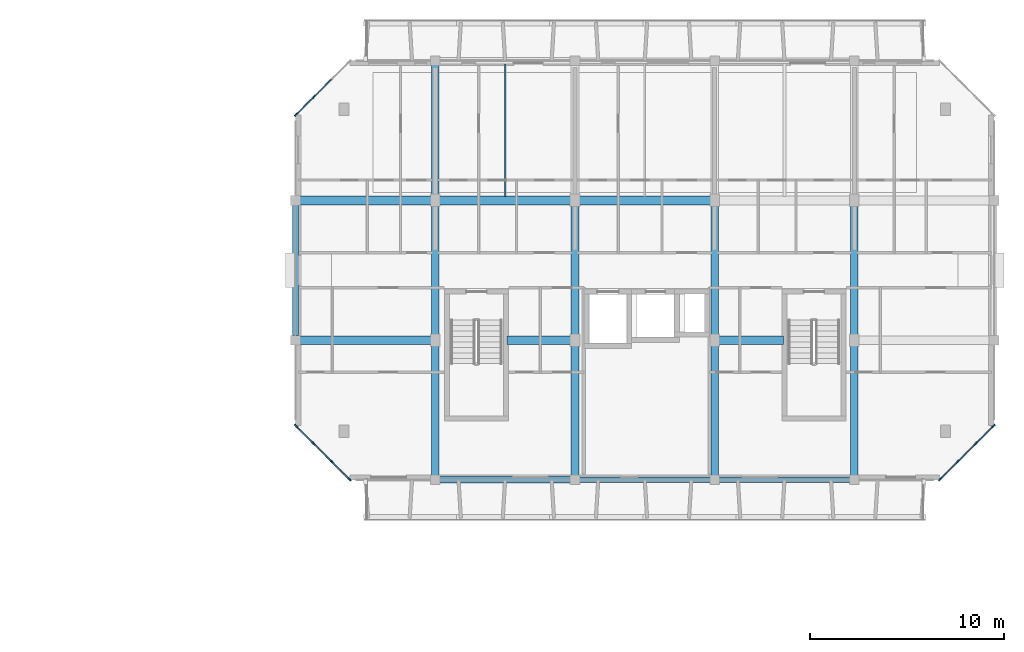
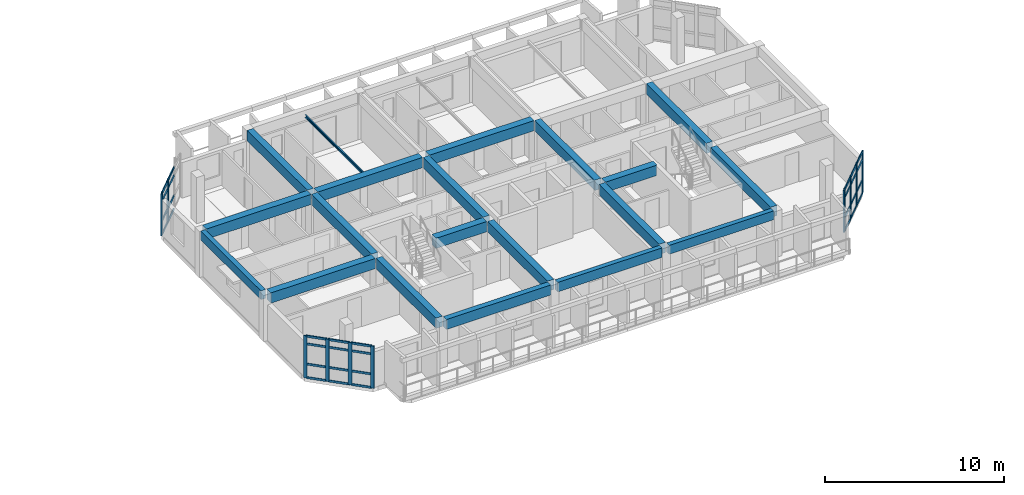
# One storey, part 9 of 46: 42 members, 20 beams, 3 elements without a shape of their own.
"""IFC4 building model written with IfcOpenShell, lengths in metres."""

from ifc_helpers import new_model, si_unit, direction, frame, origin, origin_2d, place, context, subcontext, project, spatial, rectangle, u_section, extrude, material, layer, layer_set, material_profile, profile_set, type_object, element, aggregate, save


model = new_model("IFC4")

# Units and contexts
model_context = context("Model", 3, precision=1e-05, world=origin(), true_north=direction((0.0, 1.0)))
body_context = subcontext(model_context, "Body", "Model", "MODEL_VIEW")
ifc_project = project(units=[si_unit("LENGTHUNIT", "METRE"), si_unit("AREAUNIT", "SQUARE_METRE"), si_unit("VOLUMEUNIT", "CUBIC_METRE"), si_unit("PLANEANGLEUNIT", "RADIAN"), si_unit("MASSUNIT", "GRAM", prefix="KILO")], contexts=[model_context])

# Site, building, storey
site_placement = place(None, origin())
site = spatial("IfcSite", under=ifc_project, at=site_placement, CompositionType="ELEMENT")
building_placement = place(site_placement, origin())
building = spatial("IfcBuilding", under=site, at=building_placement, Name="Ochrevale Crest", CompositionType="ELEMENT")
storey_placement = place(building_placement, frame((0.0, 0.0, 24.449951171875)))
storey = spatial("IfcBuildingStorey", under=building, at=storey_placement, Name="L07", CompositionType="ELEMENT", Elevation=24.449951171875)

# Beams
ifc_material_1 = material(Name="Precast concrete C50/60", Category="concrete")
ifc_material_profile_1 = material_profile(ifc_material_1, rectangle(XDim=0.39990234375, YDim=0.699951171875, at=origin_2d()), Name="PC 400x700")
ifc_profile_set_1 = profile_set([ifc_material_profile_1], Name="Precast concrete C50/60")
beam_type_1 = type_object("IfcBeamType", Name="BM-PC400x700", PredefinedType="BEAM", material=ifc_profile_set_1)
for number, where, z_axis, x_axis, name in (
    (1, (136.800048828125, 72.22998046875, 2.800048828125), (0.0, 1.0, 0.0), (-1.0, 0.0, 0.0), "Block D L07 N-S beam X=136.8"),
    (2, (136.800048828125, 79.429931640625, 2.800048828125), (0.0, 1.0, 0.0), (-1.0, 0.0, 0.0), "Block D L07 N-S beam X=136.8"),
):
    element("IfcBeam", number, at=place(storey_placement, frame(where, z_axis=z_axis, x_axis=x_axis)), inside=storey, type_object=beam_type_1, Name=name, PredefinedType="BEAM", context=body_context, shape_type="SweptSolid", body=[
        extrude(rectangle(XDim=0.39990234375, YDim=0.699951171875, at=origin_2d()), origin(), (0.0, 0.0, 1.0), 6.739990234375),
    ])
beam_1_placement = place(storey_placement, frame((136.800048828125, 86.6298828125, 2.800048828125), z_axis=(0.0, 1.0, 0.0), x_axis=(-1.0, 0.0, 0.0)))
element("IfcBeam", 3, at=beam_1_placement, inside=storey, type_object=beam_type_1, Name="Block D L07 N-S beam X=136.8", PredefinedType="BEAM", context=body_context, shape_type="SweptSolid", body=[
    extrude(rectangle(XDim=0.39990234375, YDim=0.699951171875, at=origin_2d()), origin(), (0.0, 0.0, 1.0), 6.740234375),
])
for number, where, z_axis, x_axis, name in (
    (4, (144.0, 72.22998046875, 2.800048828125), (0.0, 1.0, 0.0), (-1.0, 0.0, 0.0), "Block D L07 N-S beam X=144.0"),
    (5, (144.0, 79.429931640625, 2.800048828125), (0.0, 1.0, 0.0), (-1.0, 0.0, 0.0), "Block D L07 N-S beam X=144.0"),
    (6, (151.199951171875, 72.22998046875, 2.800048828125), (0.0, 1.0, 0.0), (-1.0, 0.0, 0.0), "Block D L07 N-S beam X=151.2"),
    (7, (151.199951171875, 79.429931640625, 2.800048828125), (0.0, 1.0, 0.0), (-1.0, 0.0, 0.0), "Block D L07 N-S beam X=151.2"),
    (8, (158.39990234375, 72.22998046875, 2.800048828125), (0.0, 1.0, 0.0), (-1.0, 0.0, 0.0), "Block D L07 N-S beam X=158.4"),
    (9, (158.39990234375, 79.429931640625, 2.800048828125), (0.0, 1.0, 0.0), (-1.0, 0.0, 0.0), "Block D L07 N-S beam X=158.4"),
):
    element("IfcBeam", number, at=place(storey_placement, frame(where, z_axis=z_axis, x_axis=x_axis)), inside=storey, type_object=beam_type_1, Name=name, PredefinedType="BEAM", context=body_context, shape_type="SweptSolid", body=[
        extrude(rectangle(XDim=0.39990234375, YDim=0.699951171875, at=origin_2d()), origin(), (0.0, 0.0, 1.0), 6.739990234375),
    ])
ifc_material_2 = material(Name="Steel S355", Category="steel")
ifc_material_profile_2 = material_profile(ifc_material_2, u_section(Depth=0.199951171875, FlangeWidth=0.074951171875, WebThickness=0.006103515625, FlangeThickness=0.011962890625, FilletRadius=0.011962890625, at=origin_2d()), Name="200PFC")
ifc_profile_set_2 = profile_set([ifc_material_profile_2], Name="Steel S355")
beam_type_2 = type_object("IfcBeamType", Name="BM-PFC200", PredefinedType="JOIST", material=ifc_profile_set_2)
beam_2_placement = place(storey_placement, frame((140.39990234375, 86.613037109375, 2.775146484375), z_axis=(0.0, 1.0, 0.0), x_axis=(-1.0, 0.0, 0.0)))
element("IfcBeam", 10, at=beam_2_placement, inside=storey, type_object=beam_type_2, Name="Block D L07 composite plank trimmer beam 2", PredefinedType="JOIST", context=body_context, shape_type="SweptSolid", body=[
    extrude(u_section(Depth=0.199951171875, FlangeWidth=0.074951171875, WebThickness=0.006103515625, FlangeThickness=0.011962890625, FilletRadius=0.011962890625, at=origin_2d()), origin(), (0.0, 0.0, 1.0), 6.823974609375),
])
ifc_material_3 = material(Name="Concrete C50/60", Category="concrete")
ifc_material_profile_3 = material_profile(ifc_material_3, rectangle(XDim=0.449951171875, YDim=0.699951171875, at=origin_2d()), Name="RC 450x700")
ifc_profile_set_3 = profile_set([ifc_material_profile_3], Name="Concrete C50/60")
beam_type_3 = type_object("IfcBeamType", Name="BM-PG450x700", PredefinedType="USERDEFINED", material=ifc_profile_set_3)
beam_3_placement = place(storey_placement, frame((129.824951171875, 79.199951171875, 2.800048828125), z_axis=(1.0, 0.0, 0.0), x_axis=(0.0, 1.0, 0.0)))
element("IfcBeam", 11, at=beam_3_placement, inside=storey, type_object=beam_type_3, Name="Block D L07 E-W beam Y=79.2", ObjectType="GIRDER", PredefinedType="USERDEFINED", context=body_context, shape_type="SweptSolid", body=[
    extrude(rectangle(XDim=0.449951171875, YDim=0.699951171875, at=origin_2d()), origin(), (0.0, 0.0, 1.0), 6.75),
])
beam_4_placement = place(storey_placement, frame((140.489990234375, 79.199951171875, 2.800048828125), z_axis=(1.0, 0.0, 0.0), x_axis=(0.0, 1.0, 0.0)))
element("IfcBeam", 12, at=beam_4_placement, inside=storey, type_object=beam_type_3, Name="Block D L07 E-W beam Y=79.2", ObjectType="GIRDER", PredefinedType="USERDEFINED", context=body_context, shape_type="SweptSolid", body=[
    extrude(rectangle(XDim=0.449951171875, YDim=0.699951171875, at=origin_2d()), origin(), (0.0, 0.0, 1.0), 3.284912109375),
])
beam_5_placement = place(storey_placement, frame((151.425048828125, 79.199951171875, 2.800048828125), z_axis=(1.0, 0.0, 0.0), x_axis=(0.0, 1.0, 0.0)))
element("IfcBeam", 13, at=beam_5_placement, inside=storey, type_object=beam_type_3, Name="Block D L07 E-W beam Y=79.2", ObjectType="GIRDER", PredefinedType="USERDEFINED", context=body_context, shape_type="SweptSolid", body=[
    extrude(rectangle(XDim=0.449951171875, YDim=0.699951171875, at=origin_2d()), origin(), (0.0, 0.0, 1.0), 3.3349609375),
])
for number, where, z_axis, x_axis, name in (
    (14, (129.824951171875, 86.39990234375, 2.800048828125), (1.0, 0.0, 0.0), (0.0, 1.0, 0.0), "Block D L07 E-W beam Y=86.4"),
    (15, (137.02490234375, 86.39990234375, 2.800048828125), (1.0, 0.0, 0.0), (0.0, 1.0, 0.0), "Block D L07 E-W beam Y=86.4"),
    (16, (144.22509765625, 86.39990234375, 2.800048828125), (1.0, 0.0, 0.0), (0.0, 1.0, 0.0), "Block D L07 E-W beam Y=86.4"),
):
    element("IfcBeam", number, at=place(storey_placement, frame(where, z_axis=z_axis, x_axis=x_axis)), inside=storey, type_object=beam_type_3, Name=name, ObjectType="GIRDER", PredefinedType="USERDEFINED", context=body_context, shape_type="SweptSolid", body=[
        extrude(rectangle(XDim=0.449951171875, YDim=0.699951171875, at=origin_2d()), origin(), (0.0, 0.0, 1.0), 6.75),
    ])
ifc_material_4 = material(Name="Precast concrete C40/50", Category="concrete")
ifc_material_profile_4 = material_profile(ifc_material_4, rectangle(XDim=0.300048828125, YDim=0.60009765625, at=origin_2d()), Name="PC 300x600")
ifc_profile_set_4 = profile_set([ifc_material_profile_4], Name="Precast concrete C40/50")
beam_type_4 = type_object("IfcBeamType", Name="BM-SP300x600", PredefinedType="SPANDREL", material=ifc_profile_set_4)
beam_6_placement = place(storey_placement, frame((151.425048828125, 72.0, 2.85009765625), z_axis=(1.0, 0.0, 0.0), x_axis=(0.0, 1.0, 0.0)))
element("IfcBeam", 17, at=beam_6_placement, inside=storey, type_object=beam_type_4, Name="Block D L07 E-W beam Y=72.0", PredefinedType="SPANDREL", context=body_context, shape_type="SweptSolid", body=[
    extrude(rectangle(XDim=0.300048828125, YDim=0.60009765625, at=origin_2d()), origin(), (0.0, 0.0, 1.0), 6.75),
])
beam_7_placement = place(storey_placement, frame((129.60009765625, 79.429931640625, 2.85009765625), z_axis=(0.0, 1.0, 0.0), x_axis=(-1.0, 0.0, 0.0)))
element("IfcBeam", 18, at=beam_7_placement, inside=storey, type_object=beam_type_4, Name="Block D L07 N-S beam X=129.6", PredefinedType="SPANDREL", context=body_context, shape_type="SweptSolid", body=[
    extrude(rectangle(XDim=0.300048828125, YDim=0.60009765625, at=origin_2d()), origin(), (0.0, 0.0, 1.0), 6.739990234375),
])
ifc_material_profile_5 = material_profile(ifc_material_4, rectangle(XDim=0.300048828125, YDim=0.64990234375, at=origin_2d()), Name="PC 300x650")
ifc_profile_set_5 = profile_set([ifc_material_profile_5], Name="Precast concrete C40/50")
beam_type_5 = type_object("IfcBeamType", Name="BM-SP300x650", PredefinedType="SPANDREL", material=ifc_profile_set_5)
beam_8_placement = place(storey_placement, frame((144.22509765625, 72.0, 2.824951171875), z_axis=(1.0, 0.0, 0.0), x_axis=(0.0, 1.0, 0.0)))
element("IfcBeam", 19, at=beam_8_placement, inside=storey, type_object=beam_type_5, Name="Block D L07 E-W beam Y=72.0", PredefinedType="SPANDREL", context=body_context, shape_type="SweptSolid", body=[
    extrude(rectangle(XDim=0.300048828125, YDim=0.64990234375, at=origin_2d()), origin(), (0.0, 0.0, 1.0), 6.75),
])
ifc_material_profile_6 = material_profile(ifc_material_4, rectangle(XDim=0.35009765625, YDim=0.679931640625, at=origin_2d()), Name="PC 350x680")
ifc_profile_set_6 = profile_set([ifc_material_profile_6], Name="Precast concrete C40/50")
beam_type_6 = type_object("IfcBeamType", Name="BM-SP350x680", PredefinedType="SPANDREL", material=ifc_profile_set_6)
beam_9_placement = place(storey_placement, frame((137.02490234375, 72.0, 2.81005859375), z_axis=(1.0, 0.0, 0.0), x_axis=(0.0, 1.0, 0.0)))
element("IfcBeam", 20, at=beam_9_placement, inside=storey, type_object=beam_type_6, Name="Block D L07 E-W beam Y=72.0", PredefinedType="SPANDREL", context=body_context, shape_type="SweptSolid", body=[
    extrude(rectangle(XDim=0.35009765625, YDim=0.679931640625, at=origin_2d()), origin(), (0.0, 0.0, 1.0), 6.75),
])

# Curtain wall, members
ifc_material_5 = material(Name="Anodised aluminium 6063-T5", Category="aluminium")
ifc_layer_1 = layer(ifc_material_5, 0.14990234375)
ifc_layer_set_1 = layer_set([ifc_layer_1], Name="Anodised aluminium 6063-T5")
curtain_wall_type_1 = type_object("IfcCurtainWallType", Name="CW-WG-420x285", PredefinedType="NOTDEFINED", material=ifc_layer_set_1)
curtain_wall_1_placement = place(storey_placement, origin())
curtain_wall_1 = element("IfcCurtainWall", 21, at=curtain_wall_1_placement, inside=storey, type_object=curtain_wall_type_1, Name="Block D L07 chamfered corner wintergarden curtain wall 2", PredefinedType="NOTDEFINED")
ifc_material_profile_7 = material_profile(ifc_material_5, rectangle(XDim=0.074951171875, YDim=0.219970703125, at=origin_2d()), Name="ALU 75x220")
ifc_profile_set_7 = profile_set([ifc_material_profile_7], Name="Anodised aluminium 6063-T5")
member_type_1 = type_object("IfcMemberType", Name="CW-MUL-75x220", PredefinedType="MULLION", material=ifc_profile_set_7)
member_1_placement = place(storey_placement, frame((162.826416015625, 72.026611328125, 0.0), z_axis=(0.0, 0.0, 1.0), x_axis=(-0.707106781187, 0.707106781187, 0.0)))
member_1 = element("IfcMember", 22, at=member_1_placement, type_object=member_type_1, Name="CW22 mullion 1", PredefinedType="MULLION", context=body_context, shape_type="SweptSolid", body=[
    extrude(rectangle(XDim=0.074951171875, YDim=0.219970703125, at=origin_2d()), origin(), (0.0, 0.0, 1.0), 2.875),
])
member_2_placement = place(storey_placement, frame((163.7333984375, 72.933349609375, 0.0), z_axis=(0.0, 0.0, 1.0), x_axis=(-0.707106781187, 0.707106781187, 0.0)))
member_2 = element("IfcMember", 23, at=member_2_placement, type_object=member_type_1, Name="CW22 mullion 2", PredefinedType="MULLION", context=body_context, shape_type="SweptSolid", body=[
    extrude(rectangle(XDim=0.074951171875, YDim=0.219970703125, at=origin_2d()), origin(), (0.0, 0.0, 1.0), 2.875),
])
member_3_placement = place(storey_placement, frame((164.666748046875, 73.86669921875, 0.0), z_axis=(0.0, 0.0, 1.0), x_axis=(-0.707106781187, 0.707106781187, 0.0)))
member_3 = element("IfcMember", 24, at=member_3_placement, type_object=member_type_1, Name="CW22 mullion 3", PredefinedType="MULLION", context=body_context, shape_type="SweptSolid", body=[
    extrude(rectangle(XDim=0.074951171875, YDim=0.219970703125, at=origin_2d()), origin(), (0.0, 0.0, 1.0), 2.875),
])
member_4_placement = place(storey_placement, frame((165.573486328125, 74.7734375, 0.0), z_axis=(0.0, 0.0, 1.0), x_axis=(-0.707106781187, 0.707106781187, 0.0)))
member_4 = element("IfcMember", 25, at=member_4_placement, type_object=member_type_1, Name="CW22 mullion 4", PredefinedType="MULLION", context=body_context, shape_type="SweptSolid", body=[
    extrude(rectangle(XDim=0.074951171875, YDim=0.219970703125, at=origin_2d()), origin(), (0.0, 0.0, 1.0), 2.875),
])

ifc_layer_2 = layer(ifc_material_5, 0.14990234375)
ifc_layer_set_2 = layer_set([ifc_layer_2], Name="Anodised aluminium 6063-T5")
curtain_wall_type_2 = type_object("IfcCurtainWallType", Name="CW-WG-360x285", PredefinedType="NOTDEFINED", material=ifc_layer_set_2)
curtain_wall_2_placement = place(storey_placement, origin())
curtain_wall_2 = element("IfcCurtainWall", 26, at=curtain_wall_2_placement, inside=storey, type_object=curtain_wall_type_2, Name="Block D L07 chamfered corner wintergarden curtain wall 6", PredefinedType="NOTDEFINED")
member_5_placement = place(storey_placement, frame((130.533447265625, 91.7333984375, 0.0), z_axis=(0.0, 0.0, 1.0), x_axis=(0.707106781187, -0.707106781187, 0.0)))
member_5 = element("IfcMember", 27, at=member_5_placement, type_object=member_type_1, Name="CW18 mullion 3", PredefinedType="MULLION", context=body_context, shape_type="SweptSolid", body=[
    extrude(rectangle(XDim=0.074951171875, YDim=0.219970703125, at=origin_2d()), origin(), (0.0, 0.0, 1.0), 2.875),
])
member_6_placement = place(storey_placement, frame((129.62646484375, 90.826416015625, 0.0), z_axis=(0.0, 0.0, 1.0), x_axis=(0.707106781187, -0.707106781187, 0.0)))
member_6 = element("IfcMember", 28, at=member_6_placement, type_object=member_type_1, Name="CW18 mullion 4", PredefinedType="MULLION", context=body_context, shape_type="SweptSolid", body=[
    extrude(rectangle(XDim=0.074951171875, YDim=0.219970703125, at=origin_2d()), origin(), (0.0, 0.0, 1.0), 2.875),
])

ifc_layer_3 = layer(ifc_material_5, 0.14990234375)
ifc_layer_set_3 = layer_set([ifc_layer_3], Name="Anodised aluminium 6063-T5")
curtain_wall_type_3 = type_object("IfcCurtainWallType", Name="CW-WG-240x285", PredefinedType="NOTDEFINED", material=ifc_layer_set_3)
curtain_wall_3_placement = place(storey_placement, origin())
curtain_wall_3 = element("IfcCurtainWall", 29, at=curtain_wall_3_placement, inside=storey, type_object=curtain_wall_type_3, Name="Block D L07 chamfered corner wintergarden curtain wall 8", PredefinedType="NOTDEFINED")
member_7_placement = place(storey_placement, frame((129.62646484375, 74.7734375, 0.0), z_axis=(0.0, 0.0, 1.0), x_axis=(0.707106781187, 0.707106781187, 0.0)))
member_7 = element("IfcMember", 30, at=member_7_placement, type_object=member_type_1, Name="CW15 mullion 1", PredefinedType="MULLION", context=body_context, shape_type="SweptSolid", body=[
    extrude(rectangle(XDim=0.074951171875, YDim=0.219970703125, at=origin_2d()), origin(), (0.0, 0.0, 1.0), 2.875),
])
member_8_placement = place(storey_placement, frame((130.533447265625, 73.86669921875, 0.0), z_axis=(0.0, 0.0, 1.0), x_axis=(0.707106781187, 0.707106781187, 0.0)))
member_8 = element("IfcMember", 31, at=member_8_placement, type_object=member_type_1, Name="CW15 mullion 2", PredefinedType="MULLION", context=body_context, shape_type="SweptSolid", body=[
    extrude(rectangle(XDim=0.074951171875, YDim=0.219970703125, at=origin_2d()), origin(), (0.0, 0.0, 1.0), 2.875),
])
member_9_placement = place(storey_placement, frame((131.466552734375, 72.933349609375, 0.0), z_axis=(0.0, 0.0, 1.0), x_axis=(0.707106781187, 0.707106781187, 0.0)))
member_9 = element("IfcMember", 32, at=member_9_placement, type_object=member_type_1, Name="CW15 mullion 3", PredefinedType="MULLION", context=body_context, shape_type="SweptSolid", body=[
    extrude(rectangle(XDim=0.074951171875, YDim=0.219970703125, at=origin_2d()), origin(), (0.0, 0.0, 1.0), 2.875),
])
member_10_placement = place(storey_placement, frame((132.37353515625, 72.026611328125, 0.0), z_axis=(0.0, 0.0, 1.0), x_axis=(0.707106781187, 0.707106781187, 0.0)))
member_10 = element("IfcMember", 33, at=member_10_placement, type_object=member_type_1, Name="CW15 mullion 4", PredefinedType="MULLION", context=body_context, shape_type="SweptSolid", body=[
    extrude(rectangle(XDim=0.074951171875, YDim=0.219970703125, at=origin_2d()), origin(), (0.0, 0.0, 1.0), 2.875),
])

# Member
ifc_material_profile_8 = material_profile(ifc_material_5, rectangle(XDim=0.06005859375, YDim=0.14990234375, at=origin_2d()), Name="ALU 60x150")
ifc_profile_set_8 = profile_set([ifc_material_profile_8], Name="Anodised aluminium 6063-T5")
member_type_2 = type_object("IfcMemberType", Name="CW-TRN-60x150", PredefinedType="USERDEFINED", material=ifc_profile_set_8)
member_11_placement = place(storey_placement, frame((162.85302734375, 72.052978515625, 0.030029296875), z_axis=(0.707106781187, 0.707106781187, 0.0), x_axis=(-0.707106781187, 0.707106781187, 0.0)))
member_11 = element("IfcMember", 34, at=member_11_placement, type_object=member_type_2, Name="CW22 transom 1.1", ObjectType="TRANSOM", PredefinedType="USERDEFINED", context=body_context, shape_type="SweptSolid", body=[
    extrude(rectangle(XDim=0.06005859375, YDim=0.14990234375, at=origin_2d()), origin(), (0.0, 0.0, 1.0), 1.20751953125),
])

member_12_placement = place(storey_placement, frame((162.85302734375, 72.052978515625, 0.949951171875), z_axis=(0.707106781187, 0.707106781187, 0.0), x_axis=(-0.707106781187, 0.707106781187, 0.0)))
member_12 = element("IfcMember", 35, at=member_12_placement, type_object=member_type_2, Name="CW22 transom 1.2", ObjectType="TRANSOM", PredefinedType="USERDEFINED", context=body_context, shape_type="SweptSolid", body=[
    extrude(rectangle(XDim=0.06005859375, YDim=0.14990234375, at=origin_2d()), origin(), (0.0, 0.0, 1.0), 1.20751953125),
])

member_13_placement = place(storey_placement, frame((162.85302734375, 72.052978515625, 2.324951171875), z_axis=(0.707106781187, 0.707106781187, 0.0), x_axis=(-0.707106781187, 0.707106781187, 0.0)))
member_13 = element("IfcMember", 36, at=member_13_placement, type_object=member_type_2, Name="CW22 transom 1.3", ObjectType="TRANSOM", PredefinedType="USERDEFINED", context=body_context, shape_type="SweptSolid", body=[
    extrude(rectangle(XDim=0.06005859375, YDim=0.14990234375, at=origin_2d()), origin(), (0.0, 0.0, 1.0), 1.20751953125),
])

member_14_placement = place(storey_placement, frame((162.85302734375, 72.052978515625, 2.844970703125), z_axis=(0.707106781187, 0.707106781187, 0.0), x_axis=(-0.707106781187, 0.707106781187, 0.0)))
member_14 = element("IfcMember", 37, at=member_14_placement, type_object=member_type_2, Name="CW22 transom 1.4", ObjectType="TRANSOM", PredefinedType="USERDEFINED", context=body_context, shape_type="SweptSolid", body=[
    extrude(rectangle(XDim=0.06005859375, YDim=0.14990234375, at=origin_2d()), origin(), (0.0, 0.0, 1.0), 1.20751953125),
])

member_15_placement = place(storey_placement, frame((163.759765625, 72.9599609375, 0.030029296875), z_axis=(0.707204833848, 0.707008714926, 0.0), x_axis=(-0.707008714926, 0.707204833848, 0.0)))
member_15 = element("IfcMember", 38, at=member_15_placement, type_object=member_type_2, Name="CW22 transom 2.1", ObjectType="TRANSOM", PredefinedType="USERDEFINED", context=body_context, shape_type="SweptSolid", body=[
    extrude(rectangle(XDim=0.06005859375, YDim=0.14990234375, at=origin_2d()), origin(), (0.0, 0.0, 1.0), 1.244873046875),
])

member_16_placement = place(storey_placement, frame((163.759765625, 72.9599609375, 0.949951171875), z_axis=(0.707204833848, 0.707008714926, 0.0), x_axis=(-0.707008714926, 0.707204833848, 0.0)))
member_16 = element("IfcMember", 39, at=member_16_placement, type_object=member_type_2, Name="CW22 transom 2.2", ObjectType="TRANSOM", PredefinedType="USERDEFINED", context=body_context, shape_type="SweptSolid", body=[
    extrude(rectangle(XDim=0.06005859375, YDim=0.14990234375, at=origin_2d()), origin(), (0.0, 0.0, 1.0), 1.244873046875),
])

member_17_placement = place(storey_placement, frame((163.759765625, 72.9599609375, 2.324951171875), z_axis=(0.707204833848, 0.707008714926, 0.0), x_axis=(-0.707008714926, 0.707204833848, 0.0)))
member_17 = element("IfcMember", 40, at=member_17_placement, type_object=member_type_2, Name="CW22 transom 2.3", ObjectType="TRANSOM", PredefinedType="USERDEFINED", context=body_context, shape_type="SweptSolid", body=[
    extrude(rectangle(XDim=0.06005859375, YDim=0.14990234375, at=origin_2d()), origin(), (0.0, 0.0, 1.0), 1.244873046875),
])

member_18_placement = place(storey_placement, frame((163.759765625, 72.9599609375, 2.844970703125), z_axis=(0.707204833848, 0.707008714926, 0.0), x_axis=(-0.707008714926, 0.707204833848, 0.0)))
member_18 = element("IfcMember", 41, at=member_18_placement, type_object=member_type_2, Name="CW22 transom 2.4", ObjectType="TRANSOM", PredefinedType="USERDEFINED", context=body_context, shape_type="SweptSolid", body=[
    extrude(rectangle(XDim=0.06005859375, YDim=0.14990234375, at=origin_2d()), origin(), (0.0, 0.0, 1.0), 1.244873046875),
])

member_19_placement = place(storey_placement, frame((164.693115234375, 73.89306640625, 0.030029296875), z_axis=(0.707005686502, 0.70720786142, 0.0), x_axis=(-0.70720786142, 0.707005686502, 0.0)))
member_19 = element("IfcMember", 42, at=member_19_placement, type_object=member_type_2, Name="CW22 transom 3.1", ObjectType="TRANSOM", PredefinedType="USERDEFINED", context=body_context, shape_type="SweptSolid", body=[
    extrude(rectangle(XDim=0.06005859375, YDim=0.14990234375, at=origin_2d()), origin(), (0.0, 0.0, 1.0), 1.20751953125),
])

member_20_placement = place(storey_placement, frame((164.693115234375, 73.89306640625, 0.949951171875), z_axis=(0.707005686502, 0.70720786142, 0.0), x_axis=(-0.70720786142, 0.707005686502, 0.0)))
member_20 = element("IfcMember", 43, at=member_20_placement, type_object=member_type_2, Name="CW22 transom 3.2", ObjectType="TRANSOM", PredefinedType="USERDEFINED", context=body_context, shape_type="SweptSolid", body=[
    extrude(rectangle(XDim=0.06005859375, YDim=0.14990234375, at=origin_2d()), origin(), (0.0, 0.0, 1.0), 1.20751953125),
])

member_21_placement = place(storey_placement, frame((164.693115234375, 73.89306640625, 2.324951171875), z_axis=(0.707005686502, 0.70720786142, 0.0), x_axis=(-0.70720786142, 0.707005686502, 0.0)))
member_21 = element("IfcMember", 44, at=member_21_placement, type_object=member_type_2, Name="CW22 transom 3.3", ObjectType="TRANSOM", PredefinedType="USERDEFINED", context=body_context, shape_type="SweptSolid", body=[
    extrude(rectangle(XDim=0.06005859375, YDim=0.14990234375, at=origin_2d()), origin(), (0.0, 0.0, 1.0), 1.20751953125),
])

member_22_placement = place(storey_placement, frame((164.693115234375, 73.89306640625, 2.844970703125), z_axis=(0.707005686502, 0.70720786142, 0.0), x_axis=(-0.70720786142, 0.707005686502, 0.0)))
member_22 = element("IfcMember", 45, at=member_22_placement, type_object=member_type_2, Name="CW22 transom 3.4", ObjectType="TRANSOM", PredefinedType="USERDEFINED", context=body_context, shape_type="SweptSolid", body=[
    extrude(rectangle(XDim=0.06005859375, YDim=0.14990234375, at=origin_2d()), origin(), (0.0, 0.0, 1.0), 1.20751953125),
])

aggregate(curtain_wall_1, [member_1, member_2, member_3, member_4, member_11, member_12, member_13, member_14, member_15, member_16, member_17, member_18, member_19, member_20, member_21, member_22])

member_23_placement = place(storey_placement, frame((131.440185546875, 92.64013671875, 0.030029296875), z_axis=(-0.707106781187, -0.707106781187, 0.0), x_axis=(0.707106781187, -0.707106781187, 0.0)))
member_23 = element("IfcMember", 46, at=member_23_placement, type_object=member_type_2, Name="CW18 transom 2.1", ObjectType="TRANSOM", PredefinedType="USERDEFINED", context=body_context, shape_type="SweptSolid", body=[
    extrude(rectangle(XDim=0.06005859375, YDim=0.14990234375, at=origin_2d()), origin(), (0.0, 0.0, 1.0), 1.2451171875),
])

member_24_placement = place(storey_placement, frame((131.440185546875, 92.64013671875, 0.949951171875), z_axis=(-0.707106781187, -0.707106781187, 0.0), x_axis=(0.707106781187, -0.707106781187, 0.0)))
member_24 = element("IfcMember", 47, at=member_24_placement, type_object=member_type_2, Name="CW18 transom 2.2", ObjectType="TRANSOM", PredefinedType="USERDEFINED", context=body_context, shape_type="SweptSolid", body=[
    extrude(rectangle(XDim=0.06005859375, YDim=0.14990234375, at=origin_2d()), origin(), (0.0, 0.0, 1.0), 1.2451171875),
])

member_25_placement = place(storey_placement, frame((131.440185546875, 92.64013671875, 2.324951171875), z_axis=(-0.707106781187, -0.707106781187, 0.0), x_axis=(0.707106781187, -0.707106781187, 0.0)))
member_25 = element("IfcMember", 48, at=member_25_placement, type_object=member_type_2, Name="CW18 transom 2.3", ObjectType="TRANSOM", PredefinedType="USERDEFINED", context=body_context, shape_type="SweptSolid", body=[
    extrude(rectangle(XDim=0.06005859375, YDim=0.14990234375, at=origin_2d()), origin(), (0.0, 0.0, 1.0), 1.2451171875),
])

member_26_placement = place(storey_placement, frame((131.440185546875, 92.64013671875, 2.844970703125), z_axis=(-0.707106781187, -0.707106781187, 0.0), x_axis=(0.707106781187, -0.707106781187, 0.0)))
member_26 = element("IfcMember", 49, at=member_26_placement, type_object=member_type_2, Name="CW18 transom 2.4", ObjectType="TRANSOM", PredefinedType="USERDEFINED", context=body_context, shape_type="SweptSolid", body=[
    extrude(rectangle(XDim=0.06005859375, YDim=0.14990234375, at=origin_2d()), origin(), (0.0, 0.0, 1.0), 1.2451171875),
])

member_27_placement = place(storey_placement, frame((130.5068359375, 91.706787109375, 0.030029296875), z_axis=(-0.707106781187, -0.707106781187, 0.0), x_axis=(0.707106781187, -0.707106781187, 0.0)))
member_27 = element("IfcMember", 50, at=member_27_placement, type_object=member_type_2, Name="CW18 transom 3.1", ObjectType="TRANSOM", PredefinedType="USERDEFINED", context=body_context, shape_type="SweptSolid", body=[
    extrude(rectangle(XDim=0.06005859375, YDim=0.14990234375, at=origin_2d()), origin(), (0.0, 0.0, 1.0), 1.20751953125),
])

member_28_placement = place(storey_placement, frame((130.5068359375, 91.706787109375, 0.949951171875), z_axis=(-0.707106781187, -0.707106781187, 0.0), x_axis=(0.707106781187, -0.707106781187, 0.0)))
member_28 = element("IfcMember", 51, at=member_28_placement, type_object=member_type_2, Name="CW18 transom 3.2", ObjectType="TRANSOM", PredefinedType="USERDEFINED", context=body_context, shape_type="SweptSolid", body=[
    extrude(rectangle(XDim=0.06005859375, YDim=0.14990234375, at=origin_2d()), origin(), (0.0, 0.0, 1.0), 1.20751953125),
])

member_29_placement = place(storey_placement, frame((130.5068359375, 91.706787109375, 2.324951171875), z_axis=(-0.707106781187, -0.707106781187, 0.0), x_axis=(0.707106781187, -0.707106781187, 0.0)))
member_29 = element("IfcMember", 52, at=member_29_placement, type_object=member_type_2, Name="CW18 transom 3.3", ObjectType="TRANSOM", PredefinedType="USERDEFINED", context=body_context, shape_type="SweptSolid", body=[
    extrude(rectangle(XDim=0.06005859375, YDim=0.14990234375, at=origin_2d()), origin(), (0.0, 0.0, 1.0), 1.20751953125),
])

member_30_placement = place(storey_placement, frame((130.5068359375, 91.706787109375, 2.844970703125), z_axis=(-0.707106781187, -0.707106781187, 0.0), x_axis=(0.707106781187, -0.707106781187, 0.0)))
member_30 = element("IfcMember", 53, at=member_30_placement, type_object=member_type_2, Name="CW18 transom 3.4", ObjectType="TRANSOM", PredefinedType="USERDEFINED", context=body_context, shape_type="SweptSolid", body=[
    extrude(rectangle(XDim=0.06005859375, YDim=0.14990234375, at=origin_2d()), origin(), (0.0, 0.0, 1.0), 1.20751953125),
])

aggregate(curtain_wall_2, [member_5, member_6, member_23, member_24, member_25, member_26, member_27, member_28, member_29, member_30])

member_31_placement = place(storey_placement, frame((129.653076171875, 74.7470703125, 0.030029296875), z_axis=(0.707005686502, -0.70720786142, 0.0), x_axis=(0.70720786142, 0.707005686502, 0.0)))
member_31 = element("IfcMember", 54, at=member_31_placement, type_object=member_type_2, Name="CW15 transom 1.1", ObjectType="TRANSOM", PredefinedType="USERDEFINED", context=body_context, shape_type="SweptSolid", body=[
    extrude(rectangle(XDim=0.06005859375, YDim=0.14990234375, at=origin_2d()), origin(), (0.0, 0.0, 1.0), 1.20751953125),
])

member_32_placement = place(storey_placement, frame((129.653076171875, 74.7470703125, 0.949951171875), z_axis=(0.707005686502, -0.70720786142, 0.0), x_axis=(0.70720786142, 0.707005686502, 0.0)))
member_32 = element("IfcMember", 55, at=member_32_placement, type_object=member_type_2, Name="CW15 transom 1.2", ObjectType="TRANSOM", PredefinedType="USERDEFINED", context=body_context, shape_type="SweptSolid", body=[
    extrude(rectangle(XDim=0.06005859375, YDim=0.14990234375, at=origin_2d()), origin(), (0.0, 0.0, 1.0), 1.20751953125),
])

member_33_placement = place(storey_placement, frame((129.653076171875, 74.7470703125, 2.324951171875), z_axis=(0.707005686502, -0.70720786142, 0.0), x_axis=(0.70720786142, 0.707005686502, 0.0)))
member_33 = element("IfcMember", 56, at=member_33_placement, type_object=member_type_2, Name="CW15 transom 1.3", ObjectType="TRANSOM", PredefinedType="USERDEFINED", context=body_context, shape_type="SweptSolid", body=[
    extrude(rectangle(XDim=0.06005859375, YDim=0.14990234375, at=origin_2d()), origin(), (0.0, 0.0, 1.0), 1.20751953125),
])

member_34_placement = place(storey_placement, frame((129.653076171875, 74.7470703125, 2.844970703125), z_axis=(0.707005686502, -0.70720786142, 0.0), x_axis=(0.70720786142, 0.707005686502, 0.0)))
member_34 = element("IfcMember", 57, at=member_34_placement, type_object=member_type_2, Name="CW15 transom 1.4", ObjectType="TRANSOM", PredefinedType="USERDEFINED", context=body_context, shape_type="SweptSolid", body=[
    extrude(rectangle(XDim=0.06005859375, YDim=0.14990234375, at=origin_2d()), origin(), (0.0, 0.0, 1.0), 1.20751953125),
])

member_35_placement = place(storey_placement, frame((130.559814453125, 73.840087890625, 0.030029296875), z_axis=(0.707204833848, -0.707008714926, 0.0), x_axis=(0.707008714926, 0.707204833848, 0.0)))
member_35 = element("IfcMember", 58, at=member_35_placement, type_object=member_type_2, Name="CW15 transom 2.1", ObjectType="TRANSOM", PredefinedType="USERDEFINED", context=body_context, shape_type="SweptSolid", body=[
    extrude(rectangle(XDim=0.06005859375, YDim=0.14990234375, at=origin_2d()), origin(), (0.0, 0.0, 1.0), 1.244873046875),
])

member_36_placement = place(storey_placement, frame((130.559814453125, 73.840087890625, 0.949951171875), z_axis=(0.707204833848, -0.707008714926, 0.0), x_axis=(0.707008714926, 0.707204833848, 0.0)))
member_36 = element("IfcMember", 59, at=member_36_placement, type_object=member_type_2, Name="CW15 transom 2.2", ObjectType="TRANSOM", PredefinedType="USERDEFINED", context=body_context, shape_type="SweptSolid", body=[
    extrude(rectangle(XDim=0.06005859375, YDim=0.14990234375, at=origin_2d()), origin(), (0.0, 0.0, 1.0), 1.244873046875),
])

member_37_placement = place(storey_placement, frame((130.559814453125, 73.840087890625, 2.324951171875), z_axis=(0.707204833848, -0.707008714926, 0.0), x_axis=(0.707008714926, 0.707204833848, 0.0)))
member_37 = element("IfcMember", 60, at=member_37_placement, type_object=member_type_2, Name="CW15 transom 2.3", ObjectType="TRANSOM", PredefinedType="USERDEFINED", context=body_context, shape_type="SweptSolid", body=[
    extrude(rectangle(XDim=0.06005859375, YDim=0.14990234375, at=origin_2d()), origin(), (0.0, 0.0, 1.0), 1.244873046875),
])

member_38_placement = place(storey_placement, frame((130.559814453125, 73.840087890625, 2.844970703125), z_axis=(0.707204833848, -0.707008714926, 0.0), x_axis=(0.707008714926, 0.707204833848, 0.0)))
member_38 = element("IfcMember", 61, at=member_38_placement, type_object=member_type_2, Name="CW15 transom 2.4", ObjectType="TRANSOM", PredefinedType="USERDEFINED", context=body_context, shape_type="SweptSolid", body=[
    extrude(rectangle(XDim=0.06005859375, YDim=0.14990234375, at=origin_2d()), origin(), (0.0, 0.0, 1.0), 1.244873046875),
])

member_39_placement = place(storey_placement, frame((131.4931640625, 72.90673828125, 0.030029296875), z_axis=(0.707106781187, -0.707106781187, 0.0), x_axis=(0.707106781187, 0.707106781187, 0.0)))
member_39 = element("IfcMember", 62, at=member_39_placement, type_object=member_type_2, Name="CW15 transom 3.1", ObjectType="TRANSOM", PredefinedType="USERDEFINED", context=body_context, shape_type="SweptSolid", body=[
    extrude(rectangle(XDim=0.06005859375, YDim=0.14990234375, at=origin_2d()), origin(), (0.0, 0.0, 1.0), 1.20751953125),
])

member_40_placement = place(storey_placement, frame((131.4931640625, 72.90673828125, 0.949951171875), z_axis=(0.707106781187, -0.707106781187, 0.0), x_axis=(0.707106781187, 0.707106781187, 0.0)))
member_40 = element("IfcMember", 63, at=member_40_placement, type_object=member_type_2, Name="CW15 transom 3.2", ObjectType="TRANSOM", PredefinedType="USERDEFINED", context=body_context, shape_type="SweptSolid", body=[
    extrude(rectangle(XDim=0.06005859375, YDim=0.14990234375, at=origin_2d()), origin(), (0.0, 0.0, 1.0), 1.20751953125),
])

member_41_placement = place(storey_placement, frame((131.4931640625, 72.90673828125, 2.324951171875), z_axis=(0.707106781187, -0.707106781187, 0.0), x_axis=(0.707106781187, 0.707106781187, 0.0)))
member_41 = element("IfcMember", 64, at=member_41_placement, type_object=member_type_2, Name="CW15 transom 3.3", ObjectType="TRANSOM", PredefinedType="USERDEFINED", context=body_context, shape_type="SweptSolid", body=[
    extrude(rectangle(XDim=0.06005859375, YDim=0.14990234375, at=origin_2d()), origin(), (0.0, 0.0, 1.0), 1.20751953125),
])

member_42_placement = place(storey_placement, frame((131.4931640625, 72.90673828125, 2.844970703125), z_axis=(0.707106781187, -0.707106781187, 0.0), x_axis=(0.707106781187, 0.707106781187, 0.0)))
member_42 = element("IfcMember", 65, at=member_42_placement, type_object=member_type_2, Name="CW15 transom 3.4", ObjectType="TRANSOM", PredefinedType="USERDEFINED", context=body_context, shape_type="SweptSolid", body=[
    extrude(rectangle(XDim=0.06005859375, YDim=0.14990234375, at=origin_2d()), origin(), (0.0, 0.0, 1.0), 1.20751953125),
])

aggregate(curtain_wall_3, [member_7, member_8, member_9, member_10, member_31, member_32, member_33, member_34, member_35, member_36, member_37, member_38, member_39, member_40, member_41, member_42])

save(model, "model.ifc")
